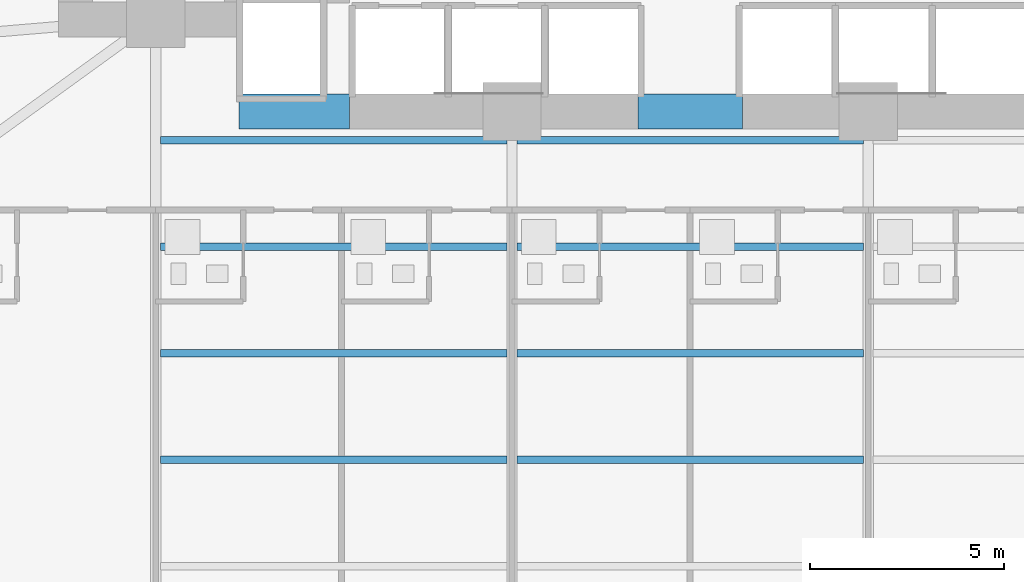
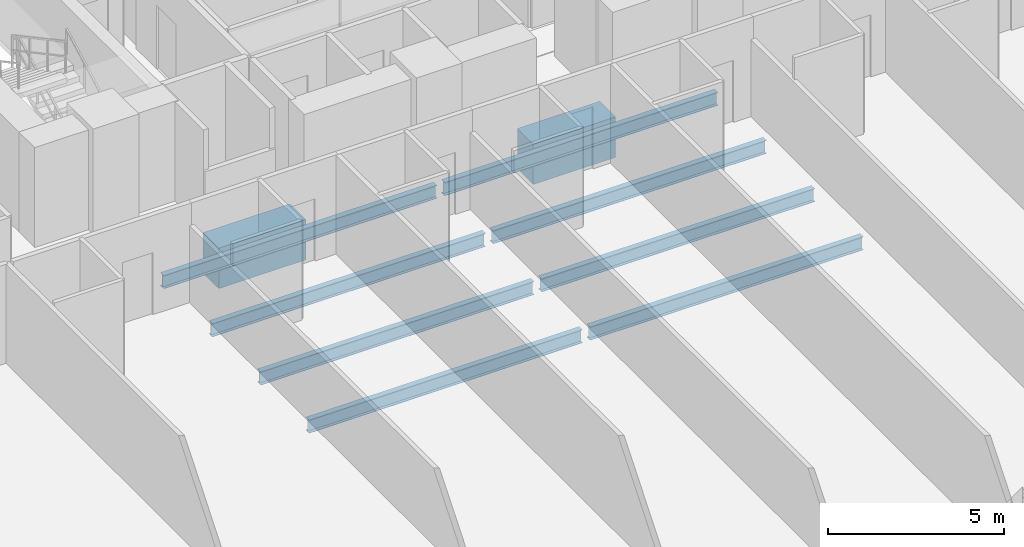
# One storey, part 7 of 29: 10 beams.
"""IFC4 building model written with IfcOpenShell, lengths in metres."""

from ifc_helpers import new_model, si_unit, direction, frame, origin, origin_2d, place, context, subcontext, project, spatial, rectangle, i_section, extrude, material, material_profile, profile_set, type_object, element, save


model = new_model("IFC4")

# Units and contexts
model_context = context("Model", 3, precision=1e-05, world=origin(), true_north=direction((0.0, 1.0)))
body_context = subcontext(model_context, "Body", "Model", "MODEL_VIEW")
ifc_project = project(units=[si_unit("LENGTHUNIT", "METRE"), si_unit("AREAUNIT", "SQUARE_METRE"), si_unit("VOLUMEUNIT", "CUBIC_METRE"), si_unit("PLANEANGLEUNIT", "RADIAN"), si_unit("MASSUNIT", "GRAM", prefix="KILO")], contexts=[model_context])

# Site, building, storey
site_placement = place(None, origin())
site = spatial("IfcSite", under=ifc_project, at=site_placement, CompositionType="ELEMENT")
building_placement = place(site_placement, origin())
building = spatial("IfcBuilding", under=site, at=building_placement, Name="Zuhayl Quay Hotel", CompositionType="ELEMENT")
storey_placement = place(building_placement, frame((0.0, 0.0, 64.10009765625)))
storey = spatial("IfcBuildingStorey", under=building, at=storey_placement, Name="L15", CompositionType="ELEMENT", Elevation=64.10009765625)

# Beams
ifc_material_1 = material(Name="Concrete C60/75", Category="concrete")
ifc_material_profile_1 = material_profile(ifc_material_1, rectangle(XDim=0.89990234375, YDim=1.39990234375, at=origin_2d()), Name="RC900X1400")
ifc_profile_set_1 = profile_set([ifc_material_profile_1], Name="Concrete C60/75")
beam_type_1 = type_object("IfcBeamType", Name="BM_CB1_RC900", PredefinedType="T_BEAM", material=ifc_profile_set_1)
beam_1_placement = place(storey_placement, frame((-11.64990234375, 2.14990234375, -0.920166015625), z_axis=(1.0, 0.0, 0.0), x_axis=(0.0, 1.0, 0.0)))
element("IfcBeam", 1, at=beam_1_placement, inside=storey, type_object=beam_type_1, Name="L15 Core Coupling Beam SW", PredefinedType="T_BEAM", context=body_context, shape_type="SweptSolid", body=[
    extrude(rectangle(XDim=0.89990234375, YDim=1.39990234375, at=origin_2d()), origin(), (0.0, 0.0, 1.0), 2.849853515625),
])
beam_2_placement = place(storey_placement, frame((-1.35009765625, 2.14990234375, -0.920166015625), z_axis=(1.0, 0.0, 0.0), x_axis=(0.0, 1.0, 0.0)))
element("IfcBeam", 2, at=beam_2_placement, inside=storey, type_object=beam_type_1, Name="L15 Core Coupling Beam South", PredefinedType="T_BEAM", context=body_context, shape_type="SweptSolid", body=[
    extrude(rectangle(XDim=0.89990234375, YDim=1.39990234375, at=origin_2d()), origin(), (0.0, 0.0, 1.0), 2.7001953125),
])
ifc_material_2 = material(Name="Steel ASTM A992 Grade 50", Category="steel")
ifc_material_profile_2 = material_profile(ifc_material_2, i_section(OverallWidth=0.18994140625, OverallDepth=0.45703125, WebThickness=0.009033203125, FlangeThickness=0.014404296875, at=origin_2d()), Name="W18X50")
ifc_profile_set_2 = profile_set([ifc_material_profile_2], Name="Steel ASTM A992 Grade 50")
beam_type_2 = type_object("IfcBeamType", Name="BM_J2_W18X50", PredefinedType="JOIST", material=ifc_profile_set_2)
beam_3_placement = place(storey_placement, frame((-13.674560546875, -6.85009765625, -0.448486328125), z_axis=(1.0, 0.0, 0.0), x_axis=(0.0, 1.0, 0.0)))
element("IfcBeam", 3, at=beam_3_placement, inside=storey, type_object=beam_type_2, Name="L15 Floor Beam FJ_L15_7_1", PredefinedType="JOIST", context=body_context, shape_type="SweptSolid", body=[
    extrude(i_section(OverallWidth=0.18994140625, OverallDepth=0.45703125, WebThickness=0.009033203125, FlangeThickness=0.014404296875, at=origin_2d()), origin(), (0.0, 0.0, 1.0), 8.948974609375),
])
beam_4_placement = place(storey_placement, frame((-4.474609375, -6.85009765625, -0.448486328125), z_axis=(1.0, 0.0, 0.0), x_axis=(0.0, 1.0, 0.0)))
element("IfcBeam", 4, at=beam_4_placement, inside=storey, type_object=beam_type_2, Name="L15 Floor Beam FJ_L15_7_2", PredefinedType="JOIST", context=body_context, shape_type="SweptSolid", body=[
    extrude(i_section(OverallWidth=0.18994140625, OverallDepth=0.45703125, WebThickness=0.009033203125, FlangeThickness=0.014404296875, at=origin_2d()), origin(), (0.0, 0.0, 1.0), 8.94921875),
])
beam_5_placement = place(storey_placement, frame((-13.674560546875, -4.10009765625, -0.448486328125), z_axis=(1.0, 0.0, 0.0), x_axis=(0.0, 1.0, 0.0)))
element("IfcBeam", 5, at=beam_5_placement, inside=storey, type_object=beam_type_2, Name="L15 Floor Beam FJ_L15_8_1", PredefinedType="JOIST", context=body_context, shape_type="SweptSolid", body=[
    extrude(i_section(OverallWidth=0.18994140625, OverallDepth=0.45703125, WebThickness=0.009033203125, FlangeThickness=0.014404296875, at=origin_2d()), origin(), (0.0, 0.0, 1.0), 8.948974609375),
])
beam_6_placement = place(storey_placement, frame((-4.474609375, -4.10009765625, -0.448486328125), z_axis=(1.0, 0.0, 0.0), x_axis=(0.0, 1.0, 0.0)))
element("IfcBeam", 6, at=beam_6_placement, inside=storey, type_object=beam_type_2, Name="L15 Floor Beam FJ_L15_8_2", PredefinedType="JOIST", context=body_context, shape_type="SweptSolid", body=[
    extrude(i_section(OverallWidth=0.18994140625, OverallDepth=0.45703125, WebThickness=0.009033203125, FlangeThickness=0.014404296875, at=origin_2d()), origin(), (0.0, 0.0, 1.0), 8.94921875),
])
beam_7_placement = place(storey_placement, frame((-13.674560546875, -1.35009765625, -0.448486328125), z_axis=(1.0, 0.0, 0.0), x_axis=(0.0, 1.0, 0.0)))
element("IfcBeam", 7, at=beam_7_placement, inside=storey, type_object=beam_type_2, Name="L15 Floor Beam FJ_L15_9_1", PredefinedType="JOIST", context=body_context, shape_type="SweptSolid", body=[
    extrude(i_section(OverallWidth=0.18994140625, OverallDepth=0.45703125, WebThickness=0.009033203125, FlangeThickness=0.014404296875, at=origin_2d()), origin(), (0.0, 0.0, 1.0), 8.948974609375),
])
beam_8_placement = place(storey_placement, frame((-4.474609375, -1.35009765625, -0.448486328125), z_axis=(1.0, 0.0, 0.0), x_axis=(0.0, 1.0, 0.0)))
element("IfcBeam", 8, at=beam_8_placement, inside=storey, type_object=beam_type_2, Name="L15 Floor Beam FJ_L15_9_2", PredefinedType="JOIST", context=body_context, shape_type="SweptSolid", body=[
    extrude(i_section(OverallWidth=0.18994140625, OverallDepth=0.45703125, WebThickness=0.009033203125, FlangeThickness=0.014404296875, at=origin_2d()), origin(), (0.0, 0.0, 1.0), 8.94921875),
])
beam_9_placement = place(storey_placement, frame((-13.674560546875, 1.39990234375, -0.448486328125), z_axis=(1.0, 0.0, 0.0), x_axis=(0.0, 1.0, 0.0)))
element("IfcBeam", 9, at=beam_9_placement, inside=storey, type_object=beam_type_2, Name="L15 Floor Beam FJ_L15_10_1", PredefinedType="JOIST", context=body_context, shape_type="SweptSolid", body=[
    extrude(i_section(OverallWidth=0.18994140625, OverallDepth=0.45703125, WebThickness=0.009033203125, FlangeThickness=0.014404296875, at=origin_2d()), origin(), (0.0, 0.0, 1.0), 8.948974609375),
])
beam_10_placement = place(storey_placement, frame((-4.474609375, 1.39990234375, -0.448486328125), z_axis=(1.0, 0.0, 0.0), x_axis=(0.0, 1.0, 0.0)))
element("IfcBeam", 10, at=beam_10_placement, inside=storey, type_object=beam_type_2, Name="L15 Floor Beam FJ_L15_10_2", PredefinedType="JOIST", context=body_context, shape_type="SweptSolid", body=[
    extrude(i_section(OverallWidth=0.18994140625, OverallDepth=0.45703125, WebThickness=0.009033203125, FlangeThickness=0.014404296875, at=origin_2d()), origin(), (0.0, 0.0, 1.0), 8.94921875),
])

save(model, "model.ifc")
